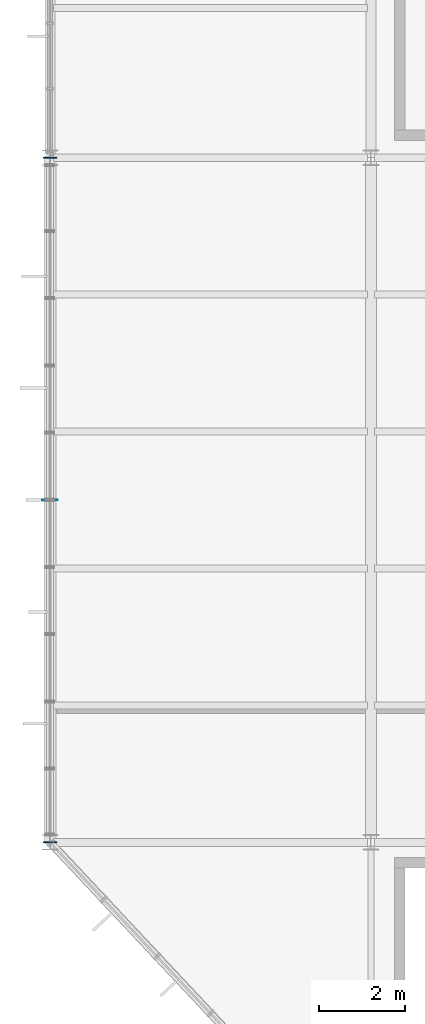
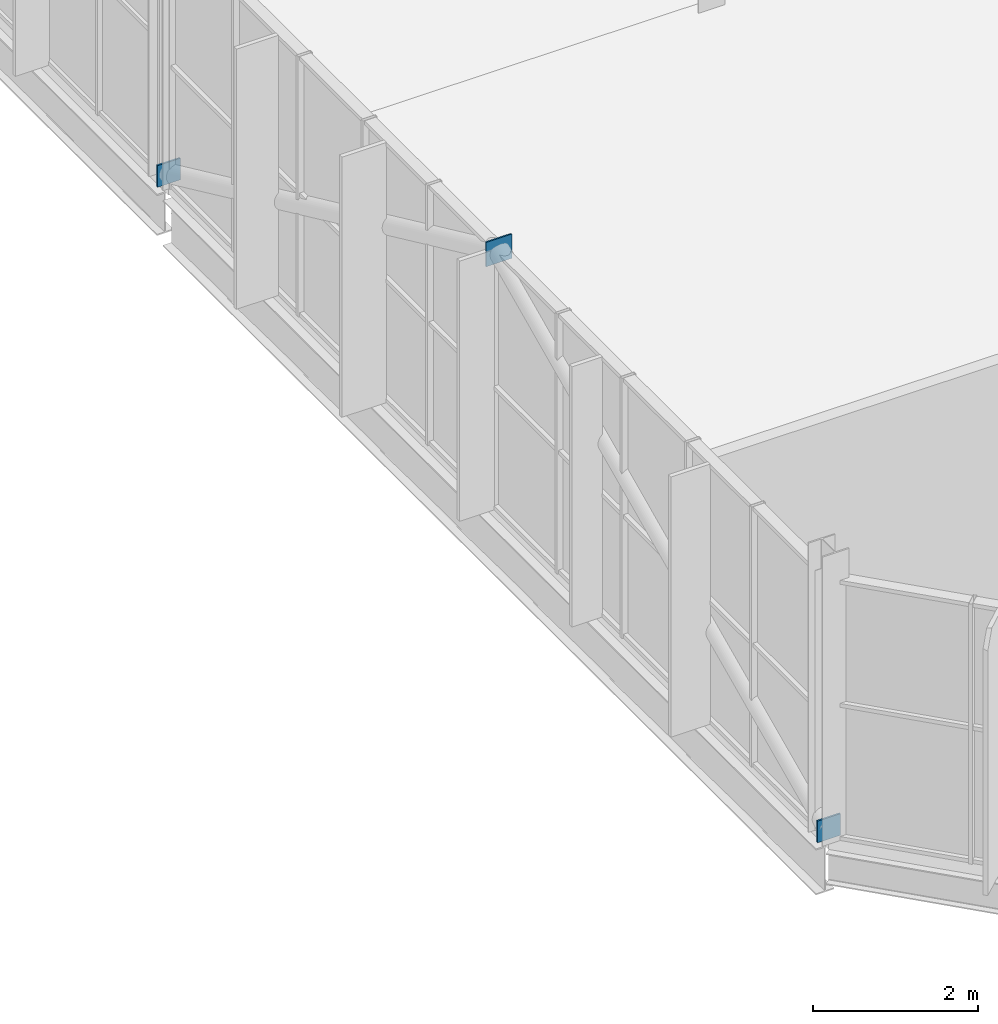
# One storey, part 288 of 324: 3 plates.
"""IFC4 building model written with IfcOpenShell, lengths in metres."""

from ifc_helpers import new_model, si_unit, direction, frame, origin, origin_2d, place, context, subcontext, project, spatial, rectangle, extrude, material, layer, layer_set, type_object, element, save


model = new_model("IFC4")

# Units and contexts
model_context = context("Model", 3, precision=1e-05, world=origin(), true_north=direction((0.0, 1.0)))
body_context = subcontext(model_context, "Body", "Model", "MODEL_VIEW")
ifc_project = project(units=[si_unit("LENGTHUNIT", "METRE"), si_unit("AREAUNIT", "SQUARE_METRE"), si_unit("VOLUMEUNIT", "CUBIC_METRE"), si_unit("PLANEANGLEUNIT", "RADIAN"), si_unit("MASSUNIT", "GRAM", prefix="KILO")], contexts=[model_context])

# Site, building, storey
site_placement = place(None, origin())
site = spatial("IfcSite", under=ifc_project, at=site_placement, CompositionType="ELEMENT")
building_placement = place(site_placement, origin())
building = spatial("IfcBuilding", under=site, at=building_placement, Name="Solvenia Promenade Tram Depot", CompositionType="ELEMENT")
storey_placement = place(building_placement, frame((0.0, 0.0, 4.5)))
storey = spatial("IfcBuildingStorey", under=building, at=storey_placement, Name="L01", CompositionType="ELEMENT", Elevation=4.5)

# Plates
ifc_material = material(Name="Structural steel ASTM A572 Gr. 50", Category="steel")
ifc_layer_1 = layer(ifc_material, 0.02392578125, Name="Structural steel ASTM A572 Gr. 50", Category="steel")
ifc_layer_set_1 = layer_set([ifc_layer_1], Name="Structural steel ASTM A572 Gr. 50")
plate_type_1 = type_object("IfcPlateType", Name="EndCap-CP1", PredefinedType="SHEET", material=ifc_layer_set_1)
for number, where, z_axis, x_axis, name in (
    (1, (0.0, 8.0, -0.06005859375), (0.0, 0.0, 1.0), (1.0, 0.0, 0.0), "Chevron Left Foot Gusset Plate 13"),
    (2, (0.0, 24.0, -0.06005859375), (0.0, 0.0, 1.0), (1.0, 0.0, 0.0), "Chevron Right Foot Gusset Plate 13"),
):
    element("IfcPlate", number, at=place(storey_placement, frame(where, z_axis=z_axis, x_axis=x_axis)), inside=storey, type_object=plate_type_1, Name=name, PredefinedType="SHEET", context=body_context, shape_type="SweptSolid", body=[
        extrude(rectangle(XDim=0.320068359375, YDim=0.02392578125, at=origin_2d()), origin(), (0.0, 0.0, 1.0), 0.320068359375),
    ])
ifc_layer_2 = layer(ifc_material, 0.02197265625, Name="Structural steel ASTM A572 Gr. 50", Category="steel")
ifc_layer_set_2 = layer_set([ifc_layer_2], Name="Structural steel ASTM A572 Gr. 50")
plate_type_2 = type_object("IfcPlateType", Name="EndCap-CP2", PredefinedType="SHEET", material=ifc_layer_set_2)
plate_placement = place(storey_placement, frame((0.0, 16.0, 3.6201171875), z_axis=(0.0, 0.0, 1.0), x_axis=(1.0, 0.0, 0.0)))
element("IfcPlate", 3, at=plate_placement, inside=storey, type_object=plate_type_2, Name="Chevron Gusset Cap Plate 13", PredefinedType="SHEET", context=body_context, shape_type="SweptSolid", body=[
    extrude(rectangle(XDim=0.360107421875, YDim=0.02001953125, at=origin_2d()), origin(), (0.0, 0.0, 1.0), 0.360107421875),
])

save(model, "model.ifc")
